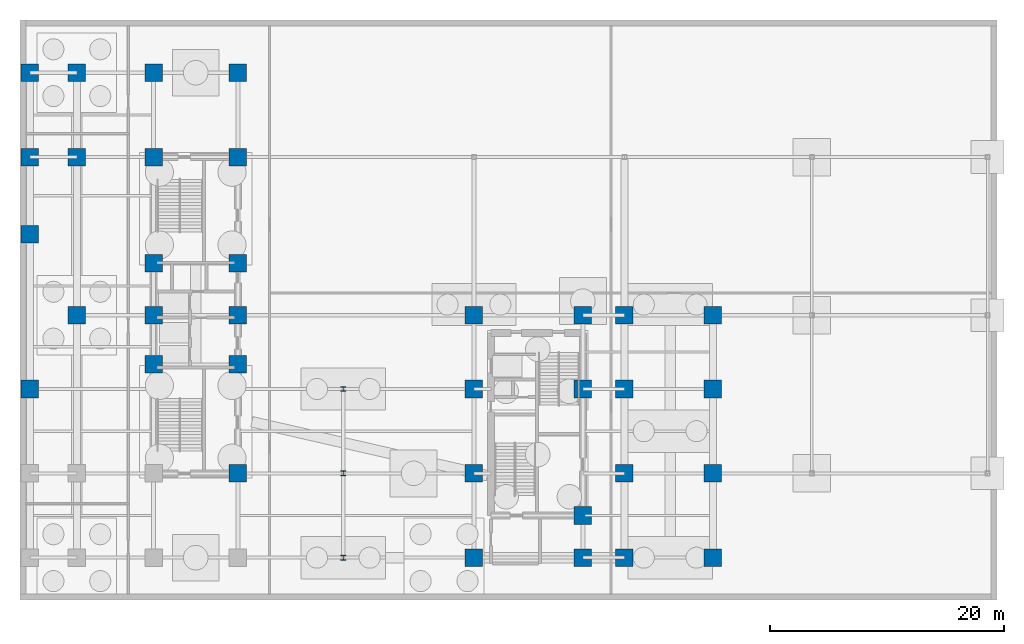
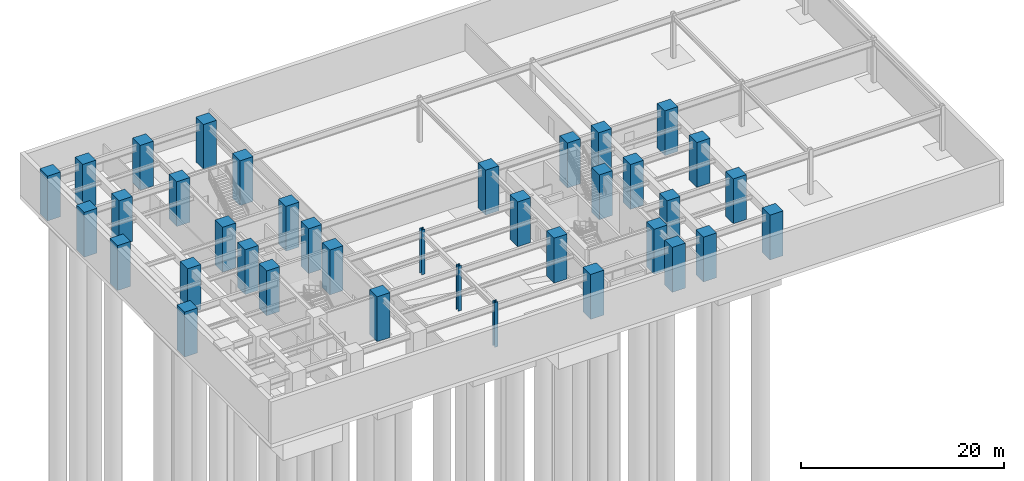
# One storey, part 2 of 11: 37 columns.
"""IFC4 building model written with IfcOpenShell, lengths in metres."""

import ifcopenshell
import ifcopenshell.guid

model = None  # the IFC model being written
_history = None  # IfcOwnerHistory: only IFC2X3 demands one
_inside = {}  # id of a spatial element -> (the spatial element, [elements in it])
_under = {}  # id of a project, library or spatial element -> (it, [spatial elements below it])
_declared = {}  # id of a project -> (the project, [libraries it declares])
_typed = {}  # id of a type object -> (the type object, [elements of that type])
_made_of = {}  # id of a material, layer set ... -> (it, [elements and type objects made of it])


def new_model(schema):
    """Start an empty IFC model of exactly this schema.

    Asked for "IFC4X3", IfcOpenShell would pick the latest addendum, in which some entities
    have other attributes; the version numbers below select the first issue.
    IFC2X3 requires an IfcOwnerHistory on every rooted entity: one is made here for all.
    """
    global model, _history
    if schema == "IFC4X3":
        model = ifcopenshell.file(schema_version=(4, 3, 0, 0))
    else:
        model = ifcopenshell.file(schema=schema)
    _inside.clear()
    _under.clear()
    _declared.clear()
    _typed.clear()
    _made_of.clear()
    _history = None
    if model.schema == "IFC2X3":
        org = make("IfcOrganization", Name="unknown")
        user = make(
            "IfcPersonAndOrganization",
            ThePerson=make("IfcPerson", FamilyName="unknown"),
            TheOrganization=org,
        )
        app = make(
            "IfcApplication",
            ApplicationDeveloper=org,
            Version="unknown",
            ApplicationFullName="unknown",
            ApplicationIdentifier="unknown",
        )
        _history = make(
            "IfcOwnerHistory",
            OwningUser=user,
            OwningApplication=app,
            ChangeAction="ADDED",
            CreationDate=0,
        )
    return model


def make(cls, **values):
    """One entity of the class cls with the attributes given. An attribute that is None is left unset."""
    return model.create_entity(
        cls, **{name: value for name, value in values.items() if value is not None}
    )


def entity(cls, *values):
    """Any entity or typed value of the class cls, its attributes in the order of the schema. None: left unset."""
    e = model.create_entity(cls)
    for i, value in enumerate(values):
        if value is not None:
            e[i] = value
    return e


def rooted(cls, **values):
    """An entity with a GlobalId (a new one), such as an element, a storey or a relation."""
    return make(cls, GlobalId=ifcopenshell.guid.new(), OwnerHistory=_history, **values)


def si_unit(unit_type, name, prefix=None):
    """IfcSIUnit, for example si_unit("LENGTHUNIT", "METRE", prefix="MILLI")."""
    return make("IfcSIUnit", UnitType=unit_type, Prefix=prefix, Name=name)


def converted_unit(unit_type, name, factor, base, dimensions=None, offset=None):
    """IfcConversionBasedUnit, such as the inch: factor (a typed value) times the base unit."""
    return make(
        "IfcConversionBasedUnit"
        if offset is None
        else "IfcConversionBasedUnitWithOffset",
        ConversionOffset=offset,
        Dimensions=None
        if dimensions is None
        else entity("IfcDimensionalExponents", *dimensions),
        UnitType=unit_type,
        Name=name,
        ConversionFactor=make(
            "IfcMeasureWithUnit", ValueComponent=factor, UnitComponent=base
        ),
    )


def assignment(units):
    """IfcUnitAssignment: the units of a project."""
    return None if units is None else make("IfcUnitAssignment", Units=units)


def point(xyz):
    """IfcCartesianPoint."""
    return None if xyz is None else make("IfcCartesianPoint", Coordinates=xyz)


def direction(xyz):
    """IfcDirection."""
    return None if xyz is None else make("IfcDirection", DirectionRatios=xyz)


def frame(location, z_axis=None, x_axis=None):
    """IfcAxis2Placement3D, a coordinate frame: its origin and axes. An axis left out is left unset."""
    return make(
        "IfcAxis2Placement3D",
        Location=point(location),
        Axis=direction(z_axis),
        RefDirection=direction(x_axis),
    )


def frame_2d(location, x_axis=None):
    """IfcAxis2Placement2D, a coordinate frame in the plane: its origin and x axis."""
    return make(
        "IfcAxis2Placement2D", Location=point(location), RefDirection=direction(x_axis)
    )


def origin_with_axes():
    """The frame at (0, 0, 0) with the z axis (0, 0, 1) and the x axis (1, 0, 0) written out."""
    return frame((0.0, 0.0, 0.0), z_axis=(0.0, 0.0, 1.0), x_axis=(1.0, 0.0, 0.0))


def origin_2d_with_axis():
    """The frame at (0, 0) in the plane with the x axis (1, 0) written out."""
    return frame_2d((0.0, 0.0), x_axis=(1.0, 0.0))


def place(relative_to, where):
    """IfcLocalPlacement: puts the frame where relative to a parent placement (None: the world)."""
    return make(
        "IfcLocalPlacement", PlacementRelTo=relative_to, RelativePlacement=where
    )


def context(
    kind, dimensions, precision=None, world=None, true_north=None, identifier=None
):
    """IfcGeometricRepresentationContext, for example the 3D "Model" context."""
    return make(
        "IfcGeometricRepresentationContext",
        ContextIdentifier=identifier,
        ContextType=kind,
        CoordinateSpaceDimension=dimensions,
        Precision=precision,
        WorldCoordinateSystem=world,
        TrueNorth=true_north,
    )


def subcontext(parent, identifier, kind, view, scale=None):
    """IfcGeometricRepresentationSubContext, for example "Body" below "Model"."""
    return make(
        "IfcGeometricRepresentationSubContext",
        ContextIdentifier=identifier,
        ContextType=kind,
        ParentContext=parent,
        TargetScale=scale,
        TargetView=view,
    )


def project(units=None, contexts=None):
    """IfcProject with its units and contexts."""
    return rooted(
        "IfcProject",
        Name="project",
        RepresentationContexts=contexts,
        UnitsInContext=assignment(units),
    )


def spatial(cls, under=None, at=None, **own):
    """A site, building, storey or space (cls), placed at a placement, below another one or the project."""
    s = rooted(cls, ObjectPlacement=at, **own)
    if under is not None:
        _under.setdefault(under.id(), (under, []))[1].append(s)
    return s


def profile(cls, at=None, kind="AREA", **sizes):
    """A parametric profile (cls). Its sizes go by their IFC names, for example OverallWidth=200.0."""
    return make(cls, ProfileType=kind, Position=at, **sizes)


def rectangle(**sizes):
    """IfcRectangleProfileDef."""
    return profile("IfcRectangleProfileDef", **sizes)


def i_section(**sizes):
    """IfcIShapeProfileDef."""
    return profile("IfcIShapeProfileDef", **sizes)


def extrude(swept, where, along, depth):
    """IfcExtrudedAreaSolid: the profile swept, set in the frame where, extruded along a direction by depth."""
    return make(
        "IfcExtrudedAreaSolid",
        SweptArea=swept,
        Position=where,
        ExtrudedDirection=direction(along),
        Depth=depth,
    )


def shape(context_of_items, identifier, shape_type, items):
    """IfcShapeRepresentation: the items that make up one representation, for example the "Body"."""
    return make(
        "IfcShapeRepresentation",
        ContextOfItems=context_of_items,
        RepresentationIdentifier=identifier,
        RepresentationType=shape_type,
        Items=items,
    )


def material(Name=None, Category=None):
    """IfcMaterial."""
    return make("IfcMaterial", Name=Name, Category=Category)


def material_profile(
    of_material, cross_section, Name=None, Category=None, Priority=None
):
    """IfcMaterialProfile: a cross section and its material."""
    return make(
        "IfcMaterialProfile",
        Name=Name,
        Material=of_material,
        Profile=cross_section,
        Priority=Priority,
        Category=Category,
    )


def profile_set(profiles, Name=None, composite=None):
    """IfcMaterialProfileSet."""
    return make(
        "IfcMaterialProfileSet",
        Name=Name,
        MaterialProfiles=profiles,
        CompositeProfile=composite,
    )


def made_of(thing, what):
    """Note that an element or type object is made of a material, layer set ...; save() writes the relation."""
    if what is not None:
        _made_of.setdefault(what.id(), (what, []))[1].append(thing)
    return thing


def type_object(cls, material=None, **own):
    """A type object (cls), such as IfcWallType, which elements share."""
    return made_of(rooted(cls, **own), material)


def element(
    cls,
    number,
    at=None,
    inside=None,
    cuts=None,
    type_object=None,
    material=None,
    context=None,
    identifier="Body",
    shape_type=None,
    held_by="IfcProductDefinitionShape",
    body=None,
    shapes=None,
    **own,
):
    """One element of the class cls, such as IfcWall. Its Tag is "e" and its number.

    at: its placement. inside: the storey or other place that contains it. cuts: it is an
    opening in that element (IfcRelVoidsElement). A single representation is given by context,
    identifier, shape_type and body (its items); several are given by shapes. held_by: the class
    of the entity that holds the representations. save() writes the other relations.
    """
    e = rooted(cls, Tag="e%d" % number, ObjectPlacement=at, **own)
    if body is not None:
        shapes = [shape(context, identifier, shape_type, body)]
    if shapes is not None:
        e.Representation = make(held_by, Representations=shapes)
    if inside is not None:
        _inside.setdefault(inside.id(), (inside, []))[1].append(e)
    if cuts is not None:
        rooted(
            "IfcRelVoidsElement", RelatingBuildingElement=cuts, RelatedOpeningElement=e
        )
    if type_object is not None:
        _typed.setdefault(type_object.id(), (type_object, []))[1].append(e)
    return made_of(e, material)


def aggregate(whole, parts):
    """IfcRelAggregates: a whole, such as a stair, and the parts it consists of."""
    return rooted("IfcRelAggregates", RelatingObject=whole, RelatedObjects=parts)


def save(model, path):
    """Write the relations noted so far, then the file.

    IfcRelAggregates (storeys below a building ...), IfcRelContainedInSpatialStructure (elements
    in a storey), IfcRelDefinesByType, IfcRelAssociatesMaterial and IfcRelDeclares: one each for
    every whole, place, type object, material and project.
    """
    for whole, parts in _under.values():
        aggregate(whole, parts)
    for where, things in _inside.values():
        rooted(
            "IfcRelContainedInSpatialStructure",
            RelatedElements=things,
            RelatingStructure=where,
        )
    for kind, things in _typed.values():
        rooted("IfcRelDefinesByType", RelatedObjects=things, RelatingType=kind)
    for what, things in _made_of.values():
        rooted("IfcRelAssociatesMaterial", RelatedObjects=things, RelatingMaterial=what)
    for by, libraries in _declared.values():
        rooted("IfcRelDeclares", RelatingContext=by, RelatedDefinitions=libraries)
    model.write(path)


model = new_model("IFC4")

# Units and contexts
model_context = context("Model", 3, precision=1e-05, world=origin_with_axes(), true_north=direction((0.0, 1.0)))
body_context = subcontext(model_context, "Body", "Model", "MODEL_VIEW")
ifc_project = project(units=[si_unit("LENGTHUNIT", "METRE"), si_unit("AREAUNIT", "SQUARE_METRE"), si_unit("VOLUMEUNIT", "CUBIC_METRE"), converted_unit("PLANEANGLEUNIT", "DEGREE", entity("IfcPlaneAngleMeasure", 0.017453292519943295), si_unit("PLANEANGLEUNIT", "RADIAN"), dimensions=[0, 0, 0, 0, 0, 0, 0]), si_unit("MASSUNIT", "GRAM", prefix="KILO"), si_unit("THERMODYNAMICTEMPERATUREUNIT", "KELVIN")], contexts=[model_context])

# Site, building, storey
site_placement = place(None, origin_with_axes())
site = spatial("IfcSite", under=ifc_project, at=site_placement, CompositionType="ELEMENT")
building_placement = place(site_placement, origin_with_axes())
building = spatial("IfcBuilding", under=site, at=building_placement, Name="Varnlund Millrace Tower", CompositionType="ELEMENT")
storey_placement = place(building_placement, frame((0.0, 0.0, -10.2), z_axis=(0.0, 0.0, 1.0), x_axis=(1.0, 0.0, 0.0)))
storey = spatial("IfcBuildingStorey", under=building, at=storey_placement, Name="B2", CompositionType="ELEMENT", Elevation=-10.2)

# Columns
ifc_material_1 = material(Name="Steel ASTM A913 Grade 65", Category="steel")
ifc_material_profile_1 = material_profile(ifc_material_1, i_section(OverallWidth=0.406, OverallDepth=0.416, WebThickness=0.0298, FlangeThickness=0.048, FilletRadius=0.022, at=origin_2d_with_axis()), Name="Steel ASTM A913 Grade 65")
ifc_profile_set_1 = profile_set([ifc_material_profile_1], Name="Steel ASTM A913 Grade 65")
column_type_1 = type_object("IfcColumnType", Name="Type-Col-Int-W14X257", PredefinedType="COLUMN", material=ifc_profile_set_1)
for number, where, z_axis, x_axis, name in (
    (1, (27.6, 3.6, 0.0), (0.0, 0.0, 1.0), (1.0, 0.0, 0.0), "Type-Col-Int-W14X257"),
    (2, (27.6, 10.8, 0.0), (0.0, 0.0, 1.0), (1.0, 0.0, 0.0), "Type-Col-Int-W14X257"),
    (3, (27.6, 18.0, 0.0), (0.0, 0.0, 1.0), (1.0, 0.0, 0.0), "Type-Col-Int-W14X257"),
):
    element("IfcColumn", number, at=place(storey_placement, frame(where, z_axis=z_axis, x_axis=x_axis)), inside=storey, type_object=column_type_1, Name=name, PredefinedType="COLUMN", context=body_context, shape_type="SweptSolid", body=[
        extrude(i_section(OverallWidth=0.406, OverallDepth=0.416, WebThickness=0.0298, FlangeThickness=0.048, FilletRadius=0.022, at=origin_2d_with_axis()), origin_with_axes(), (0.0, 0.0, 1.0), 5.4),
    ])
ifc_material_2 = material(Name="Concrete C80/95", Category="concrete")
ifc_material_profile_2 = material_profile(ifc_material_2, rectangle(XDim=1.5, YDim=1.5, at=origin_2d_with_axis()), Name="Concrete C80/95")
ifc_profile_set_2 = profile_set([ifc_material_profile_2], Name="Concrete C80/95")
column_type_2 = type_object("IfcColumnType", Name="Type-Col-RC1500-C80", PredefinedType="COLUMN", material=ifc_profile_set_2)
for number, where, z_axis, x_axis, name in (
    (4, (11.4, 20.1, 0.0), (0.0, 0.0, 1.0), (1.0, 0.0, 0.0), "Type-Col-RC1500-C80"),
    (5, (11.4, 24.3, 0.0), (0.0, 0.0, 1.0), (1.0, 0.0, 0.0), "Type-Col-RC1500-C80"),
    (6, (11.4, 28.75, 0.0), (0.0, 0.0, 1.0), (1.0, 0.0, 0.0), "Type-Col-RC1500-C80"),
    (7, (11.4, 37.8, 0.0), (0.0, 0.0, 1.0), (1.0, 0.0, 0.0), "Type-Col-RC1500-C80"),
    (8, (11.4, 45.0, 0.0), (0.0, 0.0, 1.0), (1.0, 0.0, 0.0), "Type-Col-RC1500-C80"),
    (9, (18.6, 10.8, 0.0), (0.0, 0.0, 1.0), (1.0, 0.0, 0.0), "Type-Col-RC1500-C80"),
    (10, (18.6, 20.1, 0.0), (0.0, 0.0, 1.0), (1.0, 0.0, 0.0), "Type-Col-RC1500-C80"),
    (11, (18.6, 24.3, 0.0), (0.0, 0.0, 1.0), (1.0, 0.0, 0.0), "Type-Col-RC1500-C80"),
    (12, (18.6, 28.75, 0.0), (0.0, 0.0, 1.0), (1.0, 0.0, 0.0), "Type-Col-RC1500-C80"),
    (13, (18.6, 37.8, 0.0), (0.0, 0.0, 1.0), (1.0, 0.0, 0.0), "Type-Col-RC1500-C80"),
    (14, (18.6, 45.0, 0.0), (0.0, 0.0, 1.0), (1.0, 0.0, 0.0), "Type-Col-RC1500-C80"),
    (15, (4.85, 24.3, 0.0), (0.0, 0.0, 1.0), (1.0, 0.0, 0.0), "Type-Col-RC1500-C80"),
    (16, (4.85, 37.8, 0.0), (0.0, 0.0, 1.0), (1.0, 0.0, 0.0), "Type-Col-RC1500-C80"),
    (17, (4.85, 45.0, 0.0), (0.0, 0.0, 1.0), (1.0, 0.0, 0.0), "Type-Col-RC1500-C80"),
    (18, (0.85, 18.0, 0.0), (0.0, 0.0, 1.0), (1.0, 0.0, 0.0), "Type-Col-RC1500-C80"),
    (19, (0.85, 31.2, 0.0), (0.0, 0.0, 1.0), (1.0, 0.0, 0.0), "Type-Col-RC1500-C80"),
    (20, (0.85, 37.8, 0.0), (0.0, 0.0, 1.0), (1.0, 0.0, 0.0), "Type-Col-RC1500-C80"),
    (21, (0.85, 45.0, 0.0), (0.0, 0.0, 1.0), (1.0, 0.0, 0.0), "Type-Col-RC1500-C80"),
    (22, (38.75, 3.6, 0.0), (0.0, 0.0, 1.0), (1.0, 0.0, 0.0), "Type-Col-RC1500-C80"),
    (23, (38.75, 10.8, 0.0), (0.0, 0.0, 1.0), (1.0, 0.0, 0.0), "Type-Col-RC1500-C80"),
    (24, (38.75, 18.0, 0.0), (0.0, 0.0, 1.0), (1.0, 0.0, 0.0), "Type-Col-RC1500-C80"),
    (25, (38.75, 24.3, 0.0), (0.0, 0.0, 1.0), (1.0, 0.0, 0.0), "Type-Col-RC1500-C80"),
    (26, (48.05, 3.6, 0.0), (0.0, 0.0, 1.0), (1.0, 0.0, 0.0), "Type-Col-RC1500-C80"),
    (27, (48.05, 7.2, 0.0), (0.0, 0.0, 1.0), (1.0, 0.0, 0.0), "Type-Col-RC1500-C80"),
    (28, (48.05, 18.0, 0.0), (0.0, 0.0, 1.0), (1.0, 0.0, 0.0), "Type-Col-RC1500-C80"),
    (29, (48.05, 24.3, 0.0), (0.0, 0.0, 1.0), (1.0, 0.0, 0.0), "Type-Col-RC1500-C80"),
    (30, (51.6, 3.6, 0.0), (0.0, 0.0, 1.0), (1.0, 0.0, 0.0), "Type-Col-RC1500-C80"),
    (31, (51.6, 10.8, 0.0), (0.0, 0.0, 1.0), (1.0, 0.0, 0.0), "Type-Col-RC1500-C80"),
    (32, (51.6, 18.0, 0.0), (0.0, 0.0, 1.0), (1.0, 0.0, 0.0), "Type-Col-RC1500-C80"),
    (33, (51.6, 24.3, 0.0), (0.0, 0.0, 1.0), (1.0, 0.0, 0.0), "Type-Col-RC1500-C80"),
    (34, (59.15, 3.6, 0.0), (0.0, 0.0, 1.0), (1.0, 0.0, 0.0), "Type-Col-RC1500-C80"),
    (35, (59.15, 10.8, 0.0), (0.0, 0.0, 1.0), (1.0, 0.0, 0.0), "Type-Col-RC1500-C80"),
    (36, (59.15, 18.0, 0.0), (0.0, 0.0, 1.0), (1.0, 0.0, 0.0), "Type-Col-RC1500-C80"),
    (37, (59.15, 24.3, 0.0), (0.0, 0.0, 1.0), (1.0, 0.0, 0.0), "Type-Col-RC1500-C80"),
):
    element("IfcColumn", number, at=place(storey_placement, frame(where, z_axis=z_axis, x_axis=x_axis)), inside=storey, type_object=column_type_2, Name=name, PredefinedType="COLUMN", context=body_context, shape_type="SweptSolid", body=[
        extrude(rectangle(XDim=1.5, YDim=1.5, at=origin_2d_with_axis()), origin_with_axes(), (0.0, 0.0, 1.0), 5.4),
    ])

save(model, "model.ifc")
